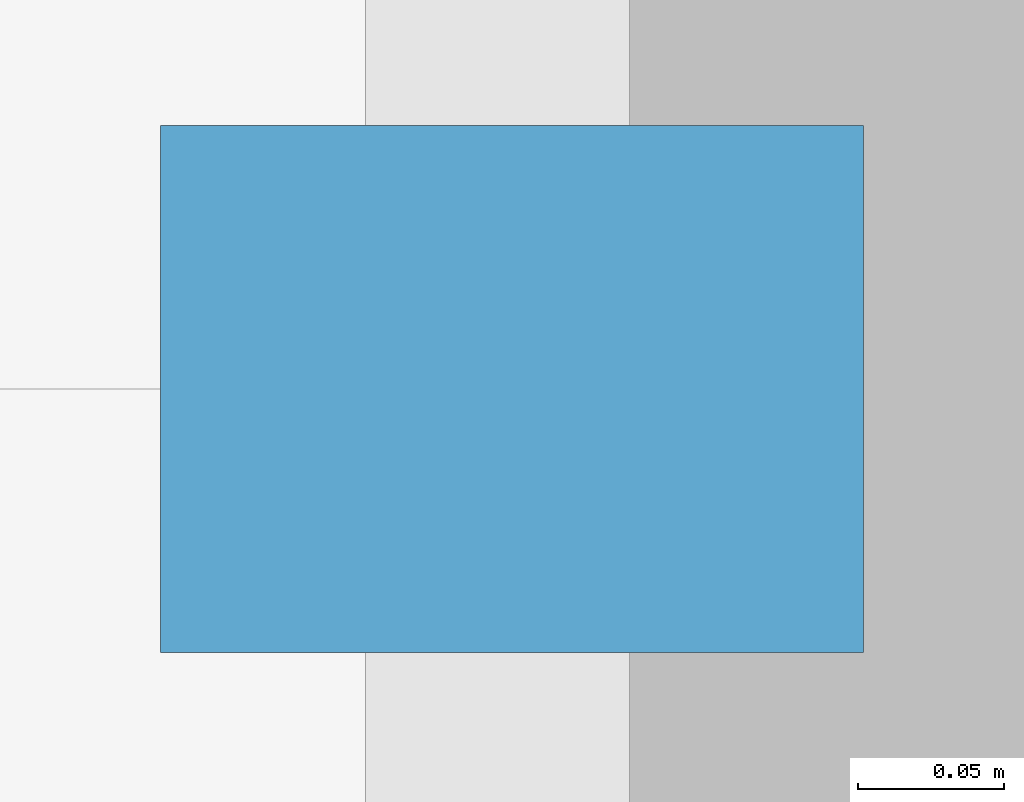
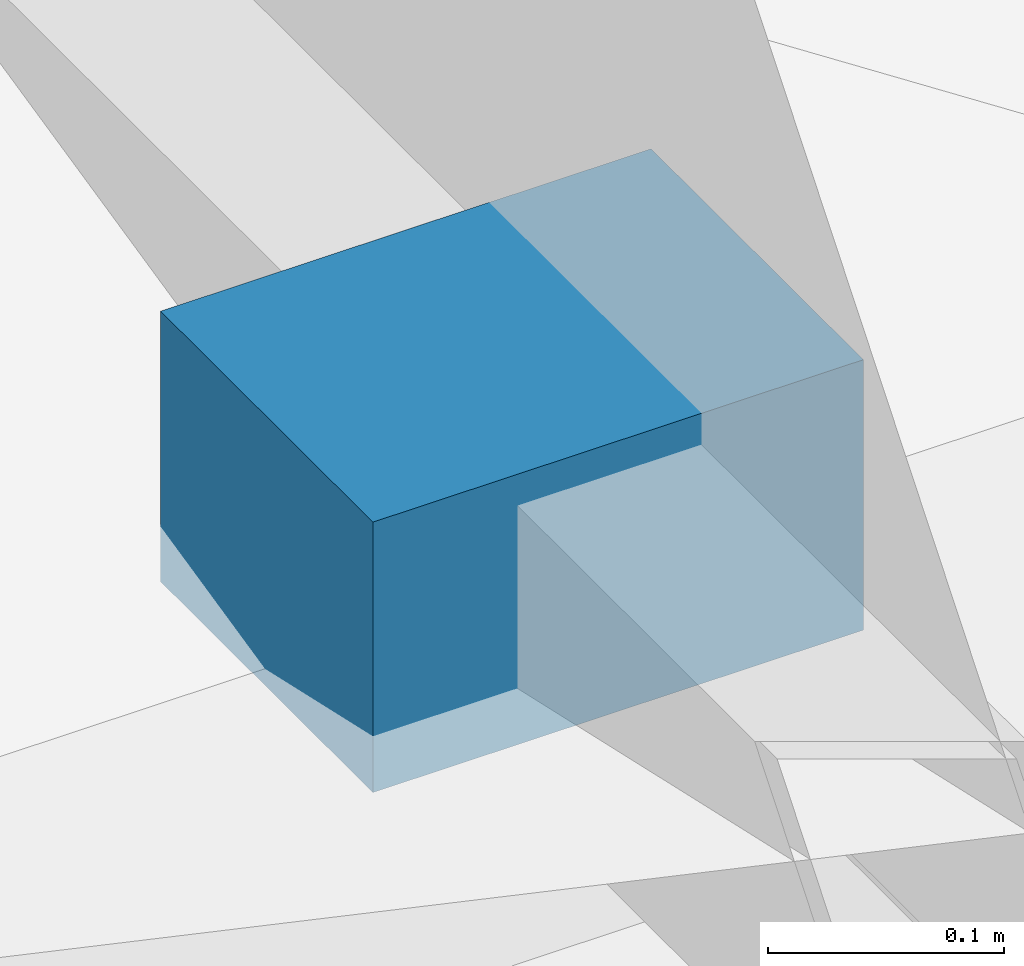
# One storey, part 100 of 118: 1 discrete accessory.
"""IFC4 building model written with IfcOpenShell, lengths in metres."""

from ifc_helpers import new_model, si_unit, direction, frame, origin, origin_2d, place, context, subcontext, project, spatial, rectangle, extrude, material, layer, layer_set, type_object, element, save


model = new_model("IFC4")

# Units and contexts
model_context = context("Model", 3, precision=1e-05, world=origin(), true_north=direction((0.0, 1.0)))
body_context = subcontext(model_context, "Body", "Model", "MODEL_VIEW")
ifc_project = project(units=[si_unit("LENGTHUNIT", "METRE"), si_unit("AREAUNIT", "SQUARE_METRE"), si_unit("VOLUMEUNIT", "CUBIC_METRE"), si_unit("PLANEANGLEUNIT", "RADIAN"), si_unit("MASSUNIT", "GRAM", prefix="KILO")], contexts=[model_context])

# Site, building, storey
site_placement = place(None, origin())
site = spatial("IfcSite", under=ifc_project, at=site_placement, CompositionType="ELEMENT")
building_placement = place(site_placement, origin())
building = spatial("IfcBuilding", under=site, at=building_placement, Name="Haebicheon Civic Stadium", CompositionType="ELEMENT")
storey_placement = place(building_placement, frame((0.0, 0.0, 14.39990234375)))
storey = spatial("IfcBuildingStorey", under=building, at=storey_placement, Name="L04", CompositionType="ELEMENT", Elevation=14.39990234375)

# Discrete accessory
ifc_material = material(Name="Stainless steel 316", Category="steel")
ifc_layer = layer(ifc_material, 0.139892578125, Name="Stainless steel 316")
ifc_layer_set = layer_set([ifc_layer], Name="Stainless steel 316")
discrete_accessory_type = type_object("IfcDiscreteAccessoryType", Name="BRK-LVR-CLEAT", PredefinedType="BRACKET", material=ifc_layer_set)
discrete_accessory_placement = place(storey_placement, frame((23.510009765625, 120.0, 0.01025390625), z_axis=(0.0, 0.0, 1.0), x_axis=(1.0, 0.0, 0.0)))
element("IfcDiscreteAccessory", 1, at=discrete_accessory_placement, inside=storey, type_object=discrete_accessory_type, material=ifc_layer_set, Name="SCR-WEST L04 stainless bracket cleat 9B", PredefinedType="BRACKET", context=body_context, shape_type="SweptSolid", body=[
    extrude(rectangle(XDim=0.239990234375, YDim=0.179931640625, at=origin_2d()), origin(), (0.0, 0.0, 1.0), 0.139892578125),
])

save(model, "model.ifc")
